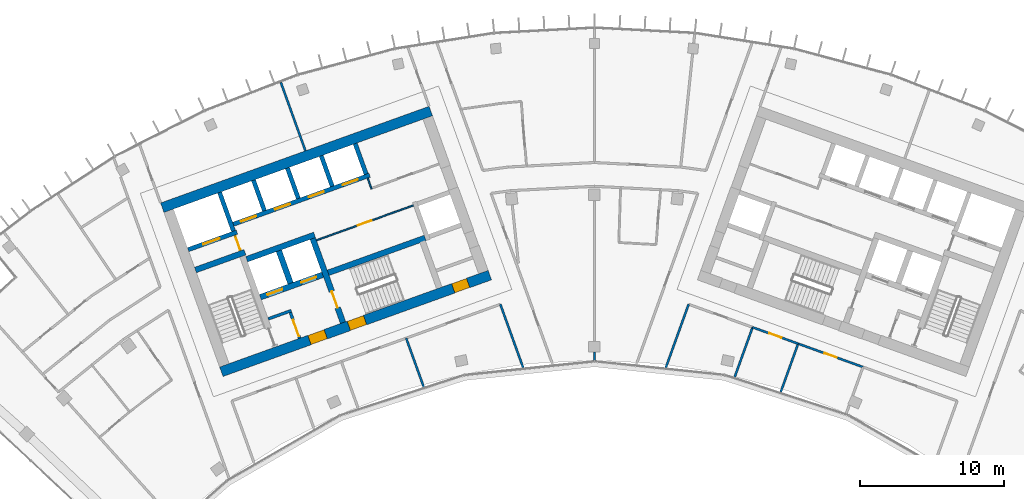
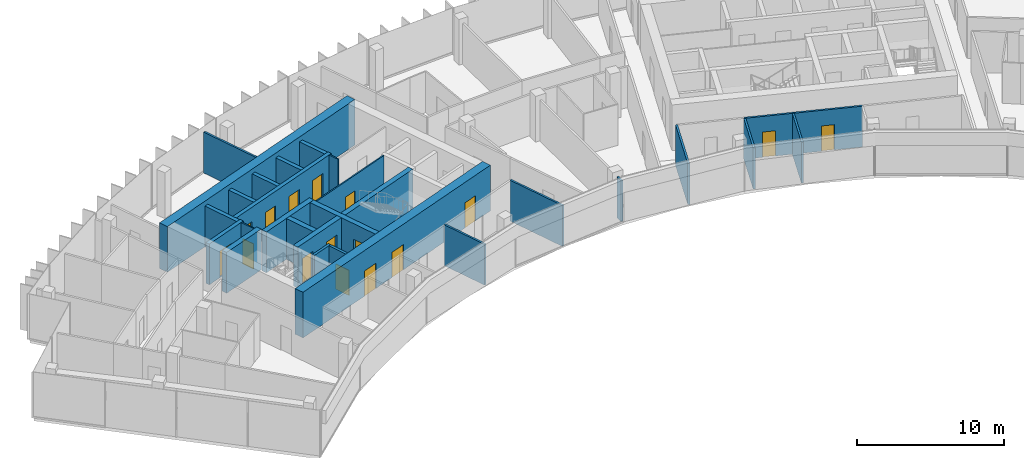
# One storey, part 14 of 19: 28 walls, 16 doors, 16 openings.
"""IFC4 building model written with IfcOpenShell, lengths in metres."""

from ifc_helpers import new_model, si_unit, direction, frame, frame_2d, origin, place, context, subcontext, project, spatial, rectangle, extrude, material, layer, layer_set, type_object, element, fill, save


model = new_model("IFC4")

# Units and contexts
model_context = context("Model", 3, precision=1e-05, world=origin(), true_north=direction((0.0, 1.0)))
body_context = subcontext(model_context, "Body", "Model", "MODEL_VIEW")
ifc_project = project(units=[si_unit("LENGTHUNIT", "METRE"), si_unit("AREAUNIT", "SQUARE_METRE"), si_unit("VOLUMEUNIT", "CUBIC_METRE"), si_unit("PLANEANGLEUNIT", "RADIAN"), si_unit("MASSUNIT", "GRAM", prefix="KILO")], contexts=[model_context])

# Site, building, storey
site_placement = place(None, origin())
site = spatial("IfcSite", under=ifc_project, at=site_placement, CompositionType="ELEMENT")
building_placement = place(site_placement, origin())
building = spatial("IfcBuilding", under=site, at=building_placement, Name="Stone Belt Terrace Tower", CompositionType="ELEMENT")
storey_placement = place(building_placement, frame((0.0, 0.0, 303.60009765625)))
storey = spatial("IfcBuildingStorey", under=building, at=storey_placement, Name="L74", CompositionType="ELEMENT", Elevation=303.60009765625)

# Wall, opening, door
ifc_material_1 = material(Name="Plasterboard partition")
ifc_layer_1 = layer(ifc_material_1, 0.10009765625)
ifc_layer_set_1 = layer_set([ifc_layer_1], Name="Core partition 100")
wall_type_1 = type_object("IfcWallType", Name="Core partition 100", PredefinedType="PARTITIONING", material=ifc_layer_set_1)
wall_1_placement = place(storey_placement, frame((-24.555908203125, 51.10400390625, 0.0), z_axis=(0.0, 0.0, 1.0), x_axis=(-0.338621735342, 0.94092258999, 0.0)))
wall_1 = element("IfcWall", 1, at=wall_1_placement, inside=storey, type_object=wall_type_1, Name="Core A wall", PredefinedType="PARTITIONING", context=body_context, shape_type="SweptSolid", body=[
    extrude(rectangle(XDim=1.14990234375, YDim=0.10009765625, at=frame_2d((0.574951171875, 0.0))), origin(), (0.0, 0.0, 1.0), 3.39990234375),
])
opening_1_placement = place(wall_1_placement, frame((0.050048828125, 0.0, 0.0)))
opening_1 = element("IfcOpeningElement", 2, at=opening_1_placement, cuts=wall_1, Name="Opening L74-C03", PredefinedType="OPENING", context=body_context, shape_type="SweptSolid", body=[
    extrude(rectangle(XDim=1.0, YDim=2.10009765625, at=frame_2d((0.5, 1.050048828125))), frame((0.0, 0.06005859375, 0.0), z_axis=(0.0, -1.0, 0.0), x_axis=(1.0, 0.0, 0.0)), (0.0, 0.0, 1.0), 0.1201171875),
])
ifc_material_2 = material(Name="Timber door leaf", Category="wood")
door_type_1 = type_object("IfcDoorType", Name="Core room door 1000", OperationType="SINGLE_SWING_LEFT", PredefinedType="DOOR", material=ifc_material_2)
door_1_placement = place(opening_1_placement, origin())
door_1 = element("IfcDoor", 3, at=door_1_placement, inside=storey, type_object=door_type_1, Name="Service lift lobby door core A", OperationType="SINGLE_SWING_RIGHT", OverallHeight=2.10009765625, OverallWidth=1.0, PredefinedType="DOOR", context=body_context, shape_type="SweptSolid", body=[
    extrude(rectangle(XDim=1.0, YDim=2.10009765625, at=frame_2d((0.5, 1.050048828125))), frame((0.0, 0.02490234375, 0.0), z_axis=(0.0, -1.0, 0.0), x_axis=(1.0, 0.0, 0.0)), (0.0, 0.0, 1.0), 0.050048828125),
])
fill(opening_1, door_1)

wall_2_placement = place(storey_placement, frame((-19.29052734375, 51.829833984375, 0.0), z_axis=(0.0, 0.0, 1.0), x_axis=(0.94092179465, 0.338623945331, 0.0)))
wall_2 = element("IfcWall", 4, at=wall_2_placement, inside=storey, type_object=wall_type_1, Name="Core A wall", PredefinedType="PARTITIONING", context=body_context, shape_type="SweptSolid", body=[
    extrude(rectangle(XDim=7.14990234375, YDim=0.10009765625, at=frame_2d((3.574951171875, 0.0))), origin(), (0.0, 0.0, 1.0), 3.39990234375),
])
opening_2_placement = place(wall_2_placement, frame((3.050048828125, 0.0, 0.0)))
opening_2 = element("IfcOpeningElement", 5, at=opening_2_placement, cuts=wall_2, Name="Opening L74-C02", PredefinedType="OPENING", context=body_context, shape_type="SweptSolid", body=[
    extrude(rectangle(XDim=1.0, YDim=2.10009765625, at=frame_2d((0.5, 1.050048828125))), frame((0.0, 0.06005859375, 0.0), z_axis=(0.0, -1.0, 0.0), x_axis=(1.0, 0.0, 0.0)), (0.0, 0.0, 1.0), 0.1201171875),
])
door_2_placement = place(opening_2_placement, origin())
door_2 = element("IfcDoor", 6, at=door_2_placement, inside=storey, type_object=door_type_1, Name="Door to Electrical room core A", OperationType="SINGLE_SWING_RIGHT", OverallHeight=2.10009765625, OverallWidth=1.0, PredefinedType="DOOR", context=body_context, shape_type="SweptSolid", body=[
    extrude(rectangle(XDim=1.0, YDim=2.10009765625, at=frame_2d((0.5, 1.050048828125))), frame((0.0, 0.02490234375, 0.0), z_axis=(0.0, -1.0, 0.0), x_axis=(1.0, 0.0, 0.0)), (0.0, 0.0, 1.0), 0.050048828125),
])
fill(opening_2, door_2)

# Wall
wall_3_placement = place(storey_placement, frame((-15.46826171875, 55.384033203125, 0.0), z_axis=(0.0, 0.0, 1.0), x_axis=(-0.338481684961, 0.940972979923, 0.0)))
element("IfcWall", 7, at=wall_3_placement, inside=storey, type_object=wall_type_1, Name="Core A wall", PredefinedType="PARTITIONING", context=body_context, shape_type="SweptSolid", body=[
    extrude(rectangle(XDim=0.7998046875, YDim=0.10009765625, at=frame_2d((0.39990234375, 0.0))), origin(), (0.0, 0.0, 1.0), 3.39990234375),
])

# Wall, openings, doors
ifc_material_3 = material(Name="Concrete B60", Category="concrete")
ifc_layer_2 = layer(ifc_material_3, 0.699951171875)
ifc_layer_set_2 = layer_set([ifc_layer_2], Name="Core wall 700 B60")
wall_type_2 = type_object("IfcWallType", Name="Core wall 700 B60", PredefinedType="SHEAR", material=ifc_layer_set_2)
wall_4_placement = place(storey_placement, frame((-25.890869140625, 42.705810546875, 0.0), z_axis=(0.0, 0.0, 1.0), x_axis=(0.940925130461, 0.338614676094, 0.0)))
wall_4 = element("IfcWall", 8, at=wall_4_placement, inside=storey, type_object=wall_type_2, Name="Core A wall concave L74", PredefinedType="SHEAR", context=body_context, shape_type="SweptSolid", body=[
    extrude(rectangle(XDim=19.800048828125, YDim=0.699951171875, at=frame_2d((9.89990234375, 0.0))), origin(), (0.0, 0.0, 1.0), 3.7998046875),
])
opening_3_placement = place(wall_4_placement, frame((6.5, 0.0, 0.0)))
opening_3 = element("IfcOpeningElement", 9, at=opening_3_placement, cuts=wall_4, Name="Opening L74-C07", PredefinedType="OPENING", context=body_context, shape_type="SweptSolid", body=[
    extrude(rectangle(XDim=1.199951171875, YDim=2.10009765625, at=frame_2d((0.60009765625, 1.050048828125))), frame((0.0, 0.35986328125, 0.0), z_axis=(0.0, -1.0, 0.0), x_axis=(1.0, 0.0, 0.0)), (0.0, 0.0, 1.0), 0.719970703125),
])
opening_4_placement = place(wall_4_placement, frame((9.39990234375, 0.0, 0.0)))
opening_4 = element("IfcOpeningElement", 10, at=opening_4_placement, cuts=wall_4, Name="Opening L74-C09", PredefinedType="OPENING", context=body_context, shape_type="SweptSolid", body=[
    extrude(rectangle(XDim=1.199951171875, YDim=2.10009765625, at=frame_2d((0.60009765625, 1.050048828125))), frame((0.0, 0.35986328125, 0.0), z_axis=(0.0, -1.0, 0.0), x_axis=(1.0, 0.0, 0.0)), (0.0, 0.0, 1.0), 0.719970703125),
])
opening_5_placement = place(wall_4_placement, frame((17.10009765625, 0.0, 0.0)))
opening_5 = element("IfcOpeningElement", 11, at=opening_5_placement, cuts=wall_4, Name="Opening L74-C11", PredefinedType="OPENING", context=body_context, shape_type="SweptSolid", body=[
    extrude(rectangle(XDim=1.10009765625, YDim=2.10009765625, at=frame_2d((0.550048828125, 1.050048828125))), frame((0.0, 0.35986328125, 0.0), z_axis=(0.0, -1.0, 0.0), x_axis=(1.0, 0.0, 0.0)), (0.0, 0.0, 1.0), 0.719970703125),
])
door_type_2 = type_object("IfcDoorType", Name="Core room door 1100", OperationType="SINGLE_SWING_LEFT", PredefinedType="DOOR", material=ifc_material_2)
door_3_placement = place(opening_5_placement, origin())
door_3 = element("IfcDoor", 12, at=door_3_placement, inside=storey, type_object=door_type_2, Name="Door to Pipe riser core A", OperationType="SINGLE_SWING_RIGHT", OverallHeight=2.10009765625, OverallWidth=1.10009765625, PredefinedType="DOOR", context=body_context, shape_type="SweptSolid", body=[
    extrude(rectangle(XDim=1.10009765625, YDim=2.10009765625, at=frame_2d((0.550048828125, 1.050048828125))), frame((0.0, 0.330078125, 0.0), z_axis=(0.0, -1.0, 0.0), x_axis=(1.0, 0.0, 0.0)), (0.0, 0.0, 1.0), 0.659912109375),
])
fill(opening_5, door_3)
ifc_material_4 = material(Name="Steel door leaf", Category="steel")
door_type_3 = type_object("IfcDoorType", Name="Fire-fighting lobby door 1200", OperationType="SINGLE_SWING_LEFT", PredefinedType="DOOR", material=ifc_material_4)
door_4_placement = place(opening_3_placement, origin())
door_4 = element("IfcDoor", 13, at=door_4_placement, inside=storey, type_object=door_type_3, Name="Fire-fighting lobby door core A", OperationType="SINGLE_SWING_RIGHT", OverallHeight=2.10009765625, OverallWidth=1.199951171875, PredefinedType="DOOR", context=body_context, shape_type="SweptSolid", body=[
    extrude(rectangle(XDim=1.199951171875, YDim=2.10009765625, at=frame_2d((0.60009765625, 1.050048828125))), frame((0.0, 0.330078125, 0.0), z_axis=(0.0, -1.0, 0.0), x_axis=(1.0, 0.0, 0.0)), (0.0, 0.0, 1.0), 0.659912109375),
])
fill(opening_3, door_4)
door_type_4 = type_object("IfcDoorType", Name="Stair door 1200", OperationType="SINGLE_SWING_LEFT", PredefinedType="DOOR", material=ifc_material_4)
door_5_placement = place(opening_4_placement, origin())
door_5 = element("IfcDoor", 14, at=door_5_placement, inside=storey, type_object=door_type_4, Name="Stair 2 exit door core A", OperationType="SINGLE_SWING_LEFT", OverallHeight=2.10009765625, OverallWidth=1.199951171875, PredefinedType="DOOR", context=body_context, shape_type="SweptSolid", body=[
    extrude(rectangle(XDim=1.199951171875, YDim=2.10009765625, at=frame_2d((0.60009765625, 1.050048828125))), frame((0.0, 0.330078125, 0.0), z_axis=(0.0, -1.0, 0.0), x_axis=(1.0, 0.0, 0.0)), (0.0, 0.0, 1.0), 0.659912109375),
])
fill(opening_4, door_5)

# Walls
wall_5_placement = place(storey_placement, frame((-29.988037109375, 54.0908203125, 0.0), z_axis=(0.0, 0.0, 1.0), x_axis=(0.940919787944, 0.33862952124, 0.0)))
element("IfcWall", 15, at=wall_5_placement, inside=storey, type_object=wall_type_2, Name="Core A wall convex L74", PredefinedType="SHEAR", context=body_context, shape_type="SweptSolid", body=[
    extrude(rectangle(XDim=19.7998046875, YDim=0.699951171875, at=frame_2d((9.89990234375, 0.0))), origin(), (0.0, 0.0, 1.0), 3.7998046875),
])
ifc_material_5 = material(Name="Concrete B80", Category="concrete")
ifc_layer_3 = layer(ifc_material_5, 0.39990234375)
ifc_layer_set_3 = layer_set([ifc_layer_3], Name="Fire-fighting lift shaft wall 400")
wall_type_3 = type_object("IfcWallType", Name="Fire-fighting lift shaft wall 400", PredefinedType="SHEAR", material=ifc_layer_set_3)
wall_6_placement = place(storey_placement, frame((-24.130615234375, 50.512939453125, 0.0), z_axis=(0.0, 0.0, 1.0), x_axis=(0.94091168377, 0.338652038744, 0.0)))
element("IfcWall", 16, at=wall_6_placement, inside=storey, type_object=wall_type_3, Name="Core A wall", PredefinedType="SHEAR", context=body_context, shape_type="SweptSolid", body=[
    extrude(rectangle(XDim=5.000244140625, YDim=0.39990234375, at=frame_2d((2.5, 0.0))), origin(), (0.0, 0.0, 1.0), 3.39990234375),
])
wall_7_placement = place(storey_placement, frame((-21.0859375, 48.845458984375, 0.0), z_axis=(0.0, 0.0, 1.0), x_axis=(-0.338629416206, 0.940919825745, 0.0)))
element("IfcWall", 17, at=wall_7_placement, inside=storey, type_object=wall_type_3, Name="Core A wall", PredefinedType="SHEAR", context=body_context, shape_type="SweptSolid", body=[
    extrude(rectangle(XDim=2.400146484375, YDim=0.39990234375, at=frame_2d((1.2001953125, 0.0))), origin(), (0.0, 0.0, 1.0), 3.39990234375),
])

# Wall, opening, door
ifc_layer_4 = layer(ifc_material_5, 0.300048828125)
ifc_layer_set_4 = layer_set([ifc_layer_4], Name="Lift shaft wall 300")
wall_type_4 = type_object("IfcWallType", Name="Lift shaft wall 300", PredefinedType="SHEAR", material=ifc_layer_set_4)
wall_8_placement = place(storey_placement, frame((-28.195068359375, 51.17578125, 0.0), z_axis=(0.0, 0.0, 1.0), x_axis=(0.940901243567, 0.338681044427, 0.0)))
wall_8 = element("IfcWall", 18, at=wall_8_placement, inside=storey, type_object=wall_type_4, Name="Core A wall", PredefinedType="SHEAR", context=body_context, shape_type="SweptSolid", body=[
    extrude(rectangle(XDim=3.599853515625, YDim=0.300048828125, at=frame_2d((1.7998046875, 0.0))), origin(), (0.0, 0.0, 1.0), 3.39990234375),
])
opening_6_placement = place(wall_8_placement, frame((1.1201171875, 0.0, 0.0)))
opening_6 = element("IfcOpeningElement", 19, at=opening_6_placement, cuts=wall_8, Name="Opening L74-LD07", PredefinedType="OPENING", context=body_context, shape_type="SweptSolid", body=[
    extrude(rectangle(XDim=1.199951171875, YDim=2.199951171875, at=frame_2d((0.60009765625, 1.10009765625))), frame((0.0, 0.159912109375, 0.0), z_axis=(0.0, -1.0, 0.0), x_axis=(1.0, 0.0, 0.0)), (0.0, 0.0, 1.0), 0.320068359375),
])
ifc_material_6 = material(Name="Stainless steel door leaf", Category="steel")
door_type_5 = type_object("IfcDoorType", Name="Landing door 1200", OperationType="SLIDING_TO_LEFT", PredefinedType="DOOR", material=ifc_material_6)
door_6_placement = place(opening_6_placement, origin())
door_6 = element("IfcDoor", 20, at=door_6_placement, inside=storey, type_object=door_type_5, Name="Landing door SV1 core A", OperationType="SLIDING_TO_LEFT", OverallHeight=2.199951171875, OverallWidth=1.199951171875, PredefinedType="DOOR", context=body_context, shape_type="SweptSolid", body=[
    extrude(rectangle(XDim=1.199951171875, YDim=2.199951171875, at=frame_2d((0.60009765625, 1.10009765625))), frame((0.0, 0.02490234375, 0.0), z_axis=(0.0, -1.0, 0.0), x_axis=(1.0, 0.0, 0.0)), (0.0, 0.0, 1.0), 0.050048828125),
])
fill(opening_6, door_6)

# Wall
wall_9_placement = place(storey_placement, frame((-25.046875, 52.46826171875, 0.0), z_axis=(0.0, 0.0, 1.0), x_axis=(-0.338549588058, 0.940948551423, 0.0)))
element("IfcWall", 21, at=wall_9_placement, inside=storey, type_object=wall_type_4, Name="Core A wall", PredefinedType="SHEAR", context=body_context, shape_type="SweptSolid", body=[
    extrude(rectangle(XDim=2.849853515625, YDim=0.300048828125, at=frame_2d((1.4248046875, 0.0))), origin(), (0.0, 0.0, 1.0), 3.39990234375),
])

# Wall, openings, doors
wall_10_placement = place(storey_placement, frame((-25.05810546875, 52.9423828125, 0.0), z_axis=(0.0, 0.0, 1.0), x_axis=(0.940917446785, 0.338636026339, 0.0)))
wall_10 = element("IfcWall", 22, at=wall_10_placement, inside=storey, type_object=wall_type_4, Name="Core A wall", PredefinedType="SHEAR", context=body_context, shape_type="SweptSolid", body=[
    extrude(rectangle(XDim=10.050048828125, YDim=0.300048828125, at=frame_2d((5.02490234375, 0.0))), origin(), (0.0, 0.0, 1.0), 3.39990234375),
])
opening_7_placement = place(wall_10_placement, frame((0.570068359375, 0.0, 0.0)))
opening_7 = element("IfcOpeningElement", 23, at=opening_7_placement, cuts=wall_10, Name="Opening L74-LD01", PredefinedType="OPENING", context=body_context, shape_type="SweptSolid", body=[
    extrude(rectangle(XDim=1.10009765625, YDim=2.199951171875, at=frame_2d((0.550048828125, 1.10009765625))), frame((0.0, 0.159912109375, 0.0), z_axis=(0.0, -1.0, 0.0), x_axis=(1.0, 0.0, 0.0)), (0.0, 0.0, 1.0), 0.320068359375),
])
opening_8_placement = place(wall_10_placement, frame((3.070068359375, 0.0, 0.0)))
opening_8 = element("IfcOpeningElement", 24, at=opening_8_placement, cuts=wall_10, Name="Opening L74-LD02", PredefinedType="OPENING", context=body_context, shape_type="SweptSolid", body=[
    extrude(rectangle(XDim=1.10009765625, YDim=2.199951171875, at=frame_2d((0.550048828125, 1.10009765625))), frame((0.0, 0.159912109375, 0.0), z_axis=(0.0, -1.0, 0.0), x_axis=(1.0, 0.0, 0.0)), (0.0, 0.0, 1.0), 0.320068359375),
])
opening_9_placement = place(wall_10_placement, frame((5.570068359375, 0.0, 0.0)))
opening_9 = element("IfcOpeningElement", 25, at=opening_9_placement, cuts=wall_10, Name="Opening L74-LD03", PredefinedType="OPENING", context=body_context, shape_type="SweptSolid", body=[
    extrude(rectangle(XDim=1.10009765625, YDim=2.199951171875, at=frame_2d((0.550048828125, 1.10009765625))), frame((0.0, 0.159912109375, 0.0), z_axis=(0.0, -1.0, 0.0), x_axis=(1.0, 0.0, 0.0)), (0.0, 0.0, 1.0), 0.320068359375),
])
opening_10_placement = place(wall_10_placement, frame((8.070068359375, 0.0, 0.0)))
opening_10 = element("IfcOpeningElement", 26, at=opening_10_placement, cuts=wall_10, Name="Opening L74-LD04", PredefinedType="OPENING", context=body_context, shape_type="SweptSolid", body=[
    extrude(rectangle(XDim=1.10009765625, YDim=2.199951171875, at=frame_2d((0.550048828125, 1.10009765625))), frame((0.0, 0.159912109375, 0.0), z_axis=(0.0, -1.0, 0.0), x_axis=(1.0, 0.0, 0.0)), (0.0, 0.0, 1.0), 0.320068359375),
])
door_type_6 = type_object("IfcDoorType", Name="Landing door 1100", OperationType="SLIDING_TO_LEFT", PredefinedType="DOOR", material=ifc_material_6)
door_7_placement = place(opening_7_placement, origin())
door_7 = element("IfcDoor", 27, at=door_7_placement, inside=storey, type_object=door_type_6, Name="Landing door HR1 core A", OperationType="SLIDING_TO_LEFT", OverallHeight=2.199951171875, OverallWidth=1.10009765625, PredefinedType="DOOR", context=body_context, shape_type="SweptSolid", body=[
    extrude(rectangle(XDim=1.10009765625, YDim=2.199951171875, at=frame_2d((0.550048828125, 1.10009765625))), frame((0.0, 0.02490234375, 0.0), z_axis=(0.0, -1.0, 0.0), x_axis=(1.0, 0.0, 0.0)), (0.0, 0.0, 1.0), 0.050048828125),
])
fill(opening_7, door_7)
door_8_placement = place(opening_8_placement, origin())
door_8 = element("IfcDoor", 28, at=door_8_placement, inside=storey, type_object=door_type_6, Name="Landing door HR2 core A", OperationType="SLIDING_TO_LEFT", OverallHeight=2.199951171875, OverallWidth=1.10009765625, PredefinedType="DOOR", context=body_context, shape_type="SweptSolid", body=[
    extrude(rectangle(XDim=1.10009765625, YDim=2.199951171875, at=frame_2d((0.550048828125, 1.10009765625))), frame((0.0, 0.02490234375, 0.0), z_axis=(0.0, -1.0, 0.0), x_axis=(1.0, 0.0, 0.0)), (0.0, 0.0, 1.0), 0.050048828125),
])
fill(opening_8, door_8)
door_9_placement = place(opening_9_placement, origin())
door_9 = element("IfcDoor", 29, at=door_9_placement, inside=storey, type_object=door_type_6, Name="Landing door HR3 core A", OperationType="SLIDING_TO_LEFT", OverallHeight=2.199951171875, OverallWidth=1.10009765625, PredefinedType="DOOR", context=body_context, shape_type="SweptSolid", body=[
    extrude(rectangle(XDim=1.10009765625, YDim=2.199951171875, at=frame_2d((0.550048828125, 1.10009765625))), frame((0.0, 0.02490234375, 0.0), z_axis=(0.0, -1.0, 0.0), x_axis=(1.0, 0.0, 0.0)), (0.0, 0.0, 1.0), 0.050048828125),
])
fill(opening_9, door_9)
door_10_placement = place(opening_10_placement, origin())
door_10 = element("IfcDoor", 30, at=door_10_placement, inside=storey, type_object=door_type_6, Name="Landing door HR4 core A", OperationType="SLIDING_TO_LEFT", OverallHeight=2.199951171875, OverallWidth=1.10009765625, PredefinedType="DOOR", context=body_context, shape_type="SweptSolid", body=[
    extrude(rectangle(XDim=1.10009765625, YDim=2.199951171875, at=frame_2d((0.550048828125, 1.10009765625))), frame((0.0, 0.02490234375, 0.0), z_axis=(0.0, -1.0, 0.0), x_axis=(1.0, 0.0, 0.0)), (0.0, 0.0, 1.0), 0.050048828125),
])
fill(opening_10, door_10)

# Walls
wall_11_placement = place(storey_placement, frame((-22.897705078125, 53.87939453125, 0.0), z_axis=(0.0, 0.0, 1.0), x_axis=(-0.338535034312, 0.940953787677, 0.0)))
element("IfcWall", 31, at=wall_11_placement, inside=storey, type_object=wall_type_4, Name="Core A wall", PredefinedType="SHEAR", context=body_context, shape_type="SweptSolid", body=[
    extrude(rectangle(XDim=2.25, YDim=0.300048828125, at=frame_2d((1.125, 0.0))), origin(), (0.0, 0.0, 1.0), 3.39990234375),
])
wall_12_placement = place(storey_placement, frame((-20.54541015625, 54.72607421875, 0.0), z_axis=(0.0, 0.0, 1.0), x_axis=(-0.338569601369, 0.940941350472, 0.0)))
element("IfcWall", 32, at=wall_12_placement, inside=storey, type_object=wall_type_4, Name="Core A wall", PredefinedType="SHEAR", context=body_context, shape_type="SweptSolid", body=[
    extrude(rectangle(XDim=2.249755859375, YDim=0.300048828125, at=frame_2d((1.125, 0.0))), origin(), (0.0, 0.0, 1.0), 3.39990234375),
])
wall_13_placement = place(storey_placement, frame((-18.193115234375, 55.572509765625, 0.0), z_axis=(0.0, 0.0, 1.0), x_axis=(-0.338535034312, 0.940953787677, 0.0)))
element("IfcWall", 33, at=wall_13_placement, inside=storey, type_object=wall_type_4, Name="Core A wall", PredefinedType="SHEAR", context=body_context, shape_type="SweptSolid", body=[
    extrude(rectangle(XDim=2.25, YDim=0.300048828125, at=frame_2d((1.125, 0.0))), origin(), (0.0, 0.0, 1.0), 3.39990234375),
])
wall_14_placement = place(storey_placement, frame((-15.8408203125, 56.419189453125, 0.0), z_axis=(0.0, 0.0, 1.0), x_axis=(-0.338569601369, 0.940941350472, 0.0)))
element("IfcWall", 34, at=wall_14_placement, inside=storey, type_object=wall_type_4, Name="Core A wall", PredefinedType="SHEAR", context=body_context, shape_type="SweptSolid", body=[
    extrude(rectangle(XDim=2.249755859375, YDim=0.300048828125, at=frame_2d((1.125, 0.0))), origin(), (0.0, 0.0, 1.0), 3.39990234375),
])
ifc_material_7 = material(Name="Gypsum board partition")
ifc_layer_5 = layer(ifc_material_7, 0.14990234375)
ifc_layer_set_5 = layer_set([ifc_layer_5], Name="PARTITION 150 EI 60")
wall_type_5 = type_object("IfcWallType", Name="PARTITION 150 EI 60", PredefinedType="PARTITIONING", material=ifc_layer_set_5)
wall_15_placement = place(storey_placement, frame((-4.9462890625, 42.980224609375, 0.0), z_axis=(0.0, 0.0, 1.0), x_axis=(-0.338653121837, 0.940911293943, 0.0)))
element("IfcWall", 35, at=wall_15_placement, inside=storey, type_object=wall_type_5, Name="L74/wall/i009", PredefinedType="PARTITIONING", context=body_context, shape_type="SweptSolid", body=[
    extrude(rectangle(XDim=4.69091796875, YDim=0.14990234375, at=frame_2d((2.345458984375, 0.0))), origin(), (0.0, 0.0, 1.0), 3.39990234375),
])
wall_16_placement = place(storey_placement, frame((-13.06591796875, 45.035888671875, 0.0), z_axis=(0.0, 0.0, 1.0), x_axis=(0.338542216534, -0.940951203636, 0.0)))
element("IfcWall", 36, at=wall_16_placement, inside=storey, type_object=wall_type_5, Name="L74/wall/i021", PredefinedType="PARTITIONING", context=body_context, shape_type="SweptSolid", body=[
    extrude(rectangle(XDim=3.609375, YDim=0.14990234375, at=frame_2d((1.8046875, 0.0))), origin(), (0.0, 0.0, 1.0), 3.39990234375),
])
wall_17_placement = place(storey_placement, frame((-21.761962890625, 62.780029296875, 0.0), z_axis=(0.0, 0.0, 1.0), x_axis=(0.338645719625, -0.940913958117, 0.0)))
element("IfcWall", 37, at=wall_17_placement, inside=storey, type_object=wall_type_5, Name="L74/wall/i022", PredefinedType="PARTITIONING", context=body_context, shape_type="SweptSolid", body=[
    extrude(rectangle(XDim=5.040771484375, YDim=0.14990234375, at=frame_2d((2.5205078125, 0.0))), origin(), (0.0, 0.0, 1.0), 3.39990234375),
])
wall_18_placement = place(storey_placement, frame((6.534912109375, 47.39404296875, 0.0), z_axis=(0.0, 0.0, 1.0), x_axis=(-0.338653121837, -0.940911293943, 0.0)))
element("IfcWall", 38, at=wall_18_placement, inside=storey, type_object=wall_type_5, Name="L74/wall/i023", PredefinedType="PARTITIONING", context=body_context, shape_type="SweptSolid", body=[
    extrude(rectangle(XDim=4.69091796875, YDim=0.14990234375, at=frame_2d((2.345458984375, 0.0))), origin(), (0.0, 0.0, 1.0), 3.39990234375),
])

# Wall, opening, door
wall_19_placement = place(storey_placement, frame((14.135986328125, 44.652099609375, 0.0), z_axis=(0.0, 0.0, 1.0), x_axis=(-0.940982474793, 0.338455288232, 0.0)))
wall_19 = element("IfcWall", 39, at=wall_19_placement, inside=storey, type_object=wall_type_5, Name="L74/wall/i034", PredefinedType="PARTITIONING", context=body_context, shape_type="SweptSolid", body=[
    extrude(rectangle(XDim=3.370849609375, YDim=0.14990234375, at=frame_2d((1.685546875, 0.0))), origin(), (0.0, 0.0, 1.0), 3.39990234375),
])
opening_11_placement = place(wall_19_placement, frame((1.235595703125, 0.0, 0.0)))
opening_11 = element("IfcOpeningElement", 40, at=opening_11_placement, cuts=wall_19, Name="Opening D-E5-08", PredefinedType="OPENING", context=body_context, shape_type="SweptSolid", body=[
    extrude(rectangle(XDim=0.89990234375, YDim=2.10009765625, at=frame_2d((0.449951171875, 1.050048828125))), frame((0.0, 0.0849609375, 0.0), z_axis=(0.0, -1.0, 0.0), x_axis=(1.0, 0.0, 0.0)), (0.0, 0.0, 1.0), 0.169921875),
])
door_type_7 = type_object("IfcDoorType", Name="OFFICE DOOR 900 X 2100", OperationType="NOTDEFINED", PredefinedType="DOOR", material=ifc_material_2)
door_11_placement = place(opening_11_placement, origin())
door_11 = element("IfcDoor", 41, at=door_11_placement, inside=storey, type_object=door_type_7, Name="L74/door/i08", OperationType="SINGLE_SWING_RIGHT", OverallHeight=2.10009765625, OverallWidth=0.89990234375, PredefinedType="DOOR", context=body_context, shape_type="SweptSolid", body=[
    extrude(rectangle(XDim=0.89990234375, YDim=2.10009765625, at=frame_2d((0.449951171875, 1.050048828125))), frame((0.0, 0.02490234375, 0.0), z_axis=(0.0, -1.0, 0.0), x_axis=(1.0, 0.0, 0.0)), (0.0, 0.0, 1.0), 0.050048828125),
])
fill(opening_11, door_11)

wall_20_placement = place(storey_placement, frame((18.635009765625, 43.032958984375, 0.0), z_axis=(0.0, 0.0, 1.0), x_axis=(-0.94092441718, 0.338616658118, 0.0)))
wall_20 = element("IfcWall", 42, at=wall_20_placement, inside=storey, type_object=wall_type_5, Name="L74/wall/i035", PredefinedType="PARTITIONING", context=body_context, shape_type="SweptSolid", body=[
    extrude(rectangle(XDim=4.793212890625, YDim=0.14990234375, at=frame_2d((2.396484375, 0.0))), origin(), (0.0, 0.0, 1.0), 3.39990234375),
])
opening_12_placement = place(wall_20_placement, frame((1.946533203125, 0.0, 0.0)))
opening_12 = element("IfcOpeningElement", 43, at=opening_12_placement, cuts=wall_20, Name="Opening D-E5-09", PredefinedType="OPENING", context=body_context, shape_type="SweptSolid", body=[
    extrude(rectangle(XDim=0.89990234375, YDim=2.10009765625, at=frame_2d((0.449951171875, 1.050048828125))), frame((0.0, 0.0849609375, 0.0), z_axis=(0.0, -1.0, 0.0), x_axis=(1.0, 0.0, 0.0)), (0.0, 0.0, 1.0), 0.169921875),
])
door_12_placement = place(opening_12_placement, origin())
door_12 = element("IfcDoor", 44, at=door_12_placement, inside=storey, type_object=door_type_7, Name="L74/door/i09", OperationType="SINGLE_SWING_RIGHT", OverallHeight=2.10009765625, OverallWidth=0.89990234375, PredefinedType="DOOR", context=body_context, shape_type="SweptSolid", body=[
    extrude(rectangle(XDim=0.89990234375, YDim=2.10009765625, at=frame_2d((0.449951171875, 1.050048828125))), frame((0.0, 0.02490234375, 0.0), z_axis=(0.0, -1.0, 0.0), x_axis=(1.0, 0.0, 0.0)), (0.0, 0.0, 1.0), 0.050048828125),
])
fill(opening_12, door_12)

# Walls
wall_21_placement = place(storey_placement, frame((10.969970703125, 45.791015625, 0.0), z_axis=(0.0, 0.0, 1.0), x_axis=(-0.338747659222, -0.94087726265, 0.0)))
element("IfcWall", 45, at=wall_21_placement, inside=storey, type_object=wall_type_5, Name="L74/wall/i037", PredefinedType="PARTITIONING", context=body_context, shape_type="SweptSolid", body=[
    extrude(rectangle(XDim=3.679931640625, YDim=0.14990234375, at=frame_2d((1.83984375, 0.0))), origin(), (0.0, 0.0, 1.0), 3.39990234375),
])
wall_22_placement = place(storey_placement, frame((14.1298828125, 44.653076171875, 0.0), z_axis=(0.0, 0.0, 1.0), x_axis=(-0.338680765461, -0.940901343982, 0.0)))
element("IfcWall", 46, at=wall_22_placement, inside=storey, type_object=wall_type_5, Name="L74/wall/i038", PredefinedType="PARTITIONING", context=body_context, shape_type="SweptSolid", body=[
    extrude(rectangle(XDim=3.573974609375, YDim=0.14990234375, at=frame_2d((1.787109375, 0.0))), origin(), (0.0, 0.0, 1.0), 3.39990234375),
])
wall_23_placement = place(storey_placement, frame((0.0, 44.06494140625, 0.0), z_axis=(0.0, 0.0, 1.0), x_axis=(0.0, -1.0, 0.0)))
element("IfcWall", 47, at=wall_23_placement, inside=storey, type_object=wall_type_5, Name="L74/wall/i098", PredefinedType="PARTITIONING", context=body_context, shape_type="SweptSolid", body=[
    extrude(rectangle(XDim=0.56494140625, YDim=0.14990234375, at=frame_2d((0.282470703125, 0.0))), origin(), (0.0, 0.0, 1.0), 3.39990234375),
])
ifc_material_8 = material(Name="Concrete masonry block", Category="masonry")
ifc_layer_6 = layer(ifc_material_8, 0.199951171875)
ifc_layer_set_6 = layer_set([ifc_layer_6], Name="Rated lobby wall 200")
wall_type_6 = type_object("IfcWallType", Name="Rated lobby wall 200", PredefinedType="PARTITIONING", material=ifc_layer_set_6)
wall_24_placement = place(storey_placement, frame((-22.640625, 46.373046875, 0.0), z_axis=(0.0, 0.0, 1.0), x_axis=(0.940966110313, 0.338500781747, 0.0)))
element("IfcWall", 48, at=wall_24_placement, inside=storey, type_object=wall_type_6, Name="Core A wall", PredefinedType="PARTITIONING", context=body_context, shape_type="SweptSolid", body=[
    extrude(rectangle(XDim=1.699951171875, YDim=0.199951171875, at=frame_2d((0.85009765625, 0.0))), origin(), (0.0, 0.0, 1.0), 3.39990234375),
])

# Wall, opening, door
wall_25_placement = place(storey_placement, frame((-20.4580078125, 45.032958984375, 0.0), z_axis=(0.0, 0.0, 1.0), x_axis=(-0.338573865316, 0.940939816208, 0.0)))
wall_25 = element("IfcWall", 49, at=wall_25_placement, inside=storey, type_object=wall_type_6, Name="Core A wall", PredefinedType="PARTITIONING", context=body_context, shape_type="SweptSolid", body=[
    extrude(rectangle(XDim=1.900146484375, YDim=0.199951171875, at=frame_2d((0.9501953125, 0.0))), origin(), (0.0, 0.0, 1.0), 3.39990234375),
])
opening_13_placement = place(wall_25_placement, frame((0.14990234375, 0.0, 0.0)))
opening_13 = element("IfcOpeningElement", 50, at=opening_13_placement, cuts=wall_25, Name="Opening L74-C06", PredefinedType="OPENING", context=body_context, shape_type="SweptSolid", body=[
    extrude(rectangle(XDim=1.199951171875, YDim=2.10009765625, at=frame_2d((0.60009765625, 1.050048828125))), frame((0.0, 0.10986328125, 0.0), z_axis=(0.0, -1.0, 0.0), x_axis=(1.0, 0.0, 0.0)), (0.0, 0.0, 1.0), 0.219970703125),
])
door_13_placement = place(opening_13_placement, origin())
door_13 = element("IfcDoor", 51, at=door_13_placement, inside=storey, type_object=door_type_4, Name="Stair airlock door core A", OperationType="SINGLE_SWING_RIGHT", OverallHeight=2.10009765625, OverallWidth=1.199951171875, PredefinedType="DOOR", context=body_context, shape_type="SweptSolid", body=[
    extrude(rectangle(XDim=1.199951171875, YDim=2.10009765625, at=frame_2d((0.60009765625, 1.050048828125))), frame((0.0, 0.02490234375, 0.0), z_axis=(0.0, -1.0, 0.0), x_axis=(1.0, 0.0, 0.0)), (0.0, 0.0, 1.0), 0.050048828125),
])
fill(opening_13, door_13)

# Wall
ifc_layer_7 = layer(ifc_material_5, 0.39990234375)
ifc_layer_set_7 = layer_set([ifc_layer_7], Name="Stair enclosure wall 400")
wall_type_7 = type_object("IfcWallType", Name="Stair enclosure wall 400", PredefinedType="SHEAR", material=ifc_layer_set_7)
wall_26_placement = place(storey_placement, frame((-27.687255859375, 49.764404296875, 0.0), z_axis=(0.0, 0.0, 1.0), x_axis=(0.940918954884, 0.338631835981, 0.0)))
element("IfcWall", 52, at=wall_26_placement, inside=storey, type_object=wall_type_7, Name="Core A wall", PredefinedType="SHEAR", context=body_context, shape_type="SweptSolid", body=[
    extrude(rectangle(XDim=3.650146484375, YDim=0.39990234375, at=frame_2d((1.8251953125, 0.0))), origin(), (0.0, 0.0, 1.0), 3.39990234375),
])

# Wall, openings, doors
wall_27_placement = place(storey_placement, frame((-23.182373046875, 47.87841796875, 0.0), z_axis=(0.0, 0.0, 1.0), x_axis=(0.940921731919, 0.338624119641, 0.0)))
wall_27 = element("IfcWall", 53, at=wall_27_placement, inside=storey, type_object=wall_type_7, Name="Core A wall", PredefinedType="SHEAR", context=body_context, shape_type="SweptSolid", body=[
    extrude(rectangle(XDim=12.14990234375, YDim=0.39990234375, at=frame_2d((6.074951171875, 0.0))), origin(), (0.0, 0.0, 1.0), 3.39990234375),
])
opening_14_placement = place(wall_27_placement, frame((0.52001953125, 0.0, 0.0)))
opening_14 = element("IfcOpeningElement", 54, at=opening_14_placement, cuts=wall_27, Name="Opening L74-LD05", PredefinedType="OPENING", context=body_context, shape_type="SweptSolid", body=[
    extrude(rectangle(XDim=1.10009765625, YDim=2.199951171875, at=frame_2d((0.550048828125, 1.10009765625))), frame((0.0, 0.2099609375, 0.0), z_axis=(0.0, -1.0, 0.0), x_axis=(1.0, 0.0, 0.0)), (0.0, 0.0, 1.0), 0.419921875),
])
opening_15_placement = place(wall_27_placement, frame((3.02001953125, 0.0, 0.0)))
opening_15 = element("IfcOpeningElement", 55, at=opening_15_placement, cuts=wall_27, Name="Opening L74-LD06", PredefinedType="OPENING", context=body_context, shape_type="SweptSolid", body=[
    extrude(rectangle(XDim=1.10009765625, YDim=2.199951171875, at=frame_2d((0.550048828125, 1.10009765625))), frame((0.0, 0.2099609375, 0.0), z_axis=(0.0, -1.0, 0.0), x_axis=(1.0, 0.0, 0.0)), (0.0, 0.0, 1.0), 0.419921875),
])
door_14_placement = place(opening_14_placement, origin())
door_14 = element("IfcDoor", 56, at=door_14_placement, inside=storey, type_object=door_type_6, Name="Landing door FF1 core A", OperationType="SLIDING_TO_LEFT", OverallHeight=2.199951171875, OverallWidth=1.10009765625, PredefinedType="DOOR", context=body_context, shape_type="SweptSolid", body=[
    extrude(rectangle(XDim=1.10009765625, YDim=2.199951171875, at=frame_2d((0.550048828125, 1.10009765625))), frame((0.0, 0.02490234375, 0.0), z_axis=(0.0, -1.0, 0.0), x_axis=(1.0, 0.0, 0.0)), (0.0, 0.0, 1.0), 0.050048828125),
])
fill(opening_14, door_14)
door_15_placement = place(opening_15_placement, origin())
door_15 = element("IfcDoor", 57, at=door_15_placement, inside=storey, type_object=door_type_6, Name="Landing door FF2 core A", OperationType="SLIDING_TO_LEFT", OverallHeight=2.199951171875, OverallWidth=1.10009765625, PredefinedType="DOOR", context=body_context, shape_type="SweptSolid", body=[
    extrude(rectangle(XDim=1.10009765625, YDim=2.199951171875, at=frame_2d((0.550048828125, 1.10009765625))), frame((0.0, 0.02490234375, 0.0), z_axis=(0.0, -1.0, 0.0), x_axis=(1.0, 0.0, 0.0)), (0.0, 0.0, 1.0), 0.050048828125),
])
fill(opening_15, door_15)

# Wall, opening, door
wall_28_placement = place(storey_placement, frame((-17.447021484375, 46.116455078125, 0.0), z_axis=(0.0, 0.0, 1.0), x_axis=(-0.33860791464, 0.940927563707, 0.0)))
wall_28 = element("IfcWall", 58, at=wall_28_placement, inside=storey, type_object=wall_type_7, Name="Core A wall", PredefinedType="SHEAR", context=body_context, shape_type="SweptSolid", body=[
    extrude(rectangle(XDim=6.199951171875, YDim=0.39990234375, at=frame_2d((3.10009765625, 0.0))), origin(), (0.0, 0.0, 1.0), 3.39990234375),
])
opening_16_placement = place(wall_28_placement, frame((1.10009765625, 0.0, 0.0)))
opening_16 = element("IfcOpeningElement", 59, at=opening_16_placement, cuts=wall_28, Name="Opening L74-C08", PredefinedType="OPENING", context=body_context, shape_type="SweptSolid", body=[
    extrude(rectangle(XDim=1.199951171875, YDim=2.10009765625, at=frame_2d((0.60009765625, 1.050048828125))), frame((0.0, 0.2099609375, 0.0), z_axis=(0.0, -1.0, 0.0), x_axis=(1.0, 0.0, 0.0)), (0.0, 0.0, 1.0), 0.419921875),
])
door_16_placement = place(opening_16_placement, origin())
door_16 = element("IfcDoor", 60, at=door_16_placement, inside=storey, type_object=door_type_4, Name="Stair 2 door core A", OperationType="SINGLE_SWING_RIGHT", OverallHeight=2.10009765625, OverallWidth=1.199951171875, PredefinedType="DOOR", context=body_context, shape_type="SweptSolid", body=[
    extrude(rectangle(XDim=1.199951171875, YDim=2.10009765625, at=frame_2d((0.60009765625, 1.050048828125))), frame((0.0, 0.02490234375, 0.0), z_axis=(0.0, -1.0, 0.0), x_axis=(1.0, 0.0, 0.0)), (0.0, 0.0, 1.0), 0.050048828125),
])
fill(opening_16, door_16)

save(model, "model.ifc")
